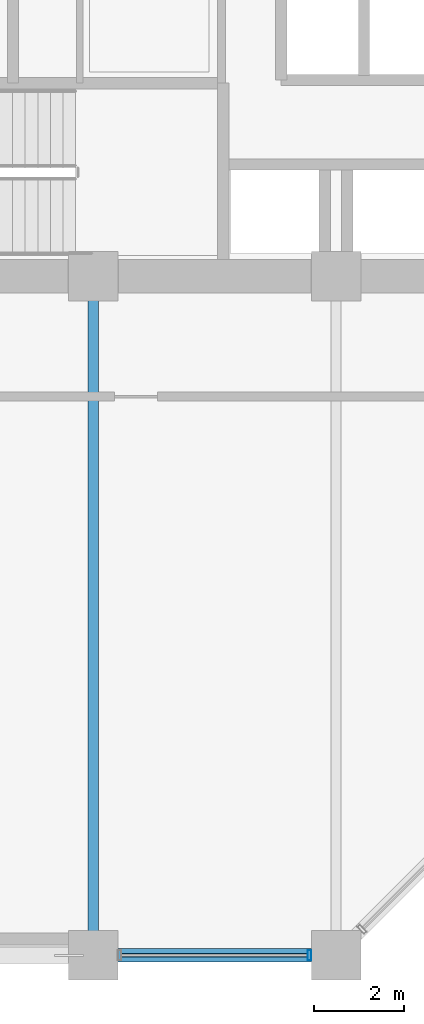
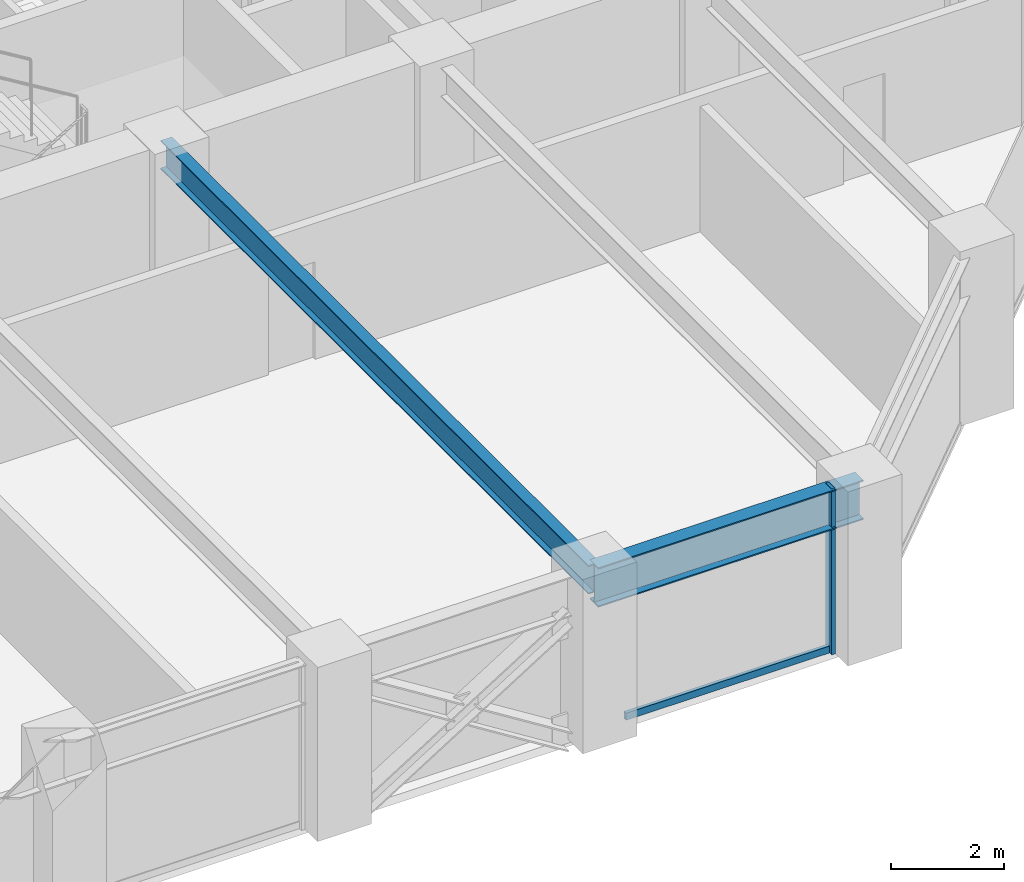
# One storey, part 5 of 25: 2 beams, 2 members, 1 element without a shape of its own.
"""IFC4 building model written with IfcOpenShell, lengths in metres."""

import ifcopenshell
import ifcopenshell.guid

model = None  # the IFC model being written
_history = None  # IfcOwnerHistory: only IFC2X3 demands one
_inside = {}  # id of a spatial element -> (the spatial element, [elements in it])
_under = {}  # id of a project, library or spatial element -> (it, [spatial elements below it])
_declared = {}  # id of a project -> (the project, [libraries it declares])
_typed = {}  # id of a type object -> (the type object, [elements of that type])
_made_of = {}  # id of a material, layer set ... -> (it, [elements and type objects made of it])


def new_model(schema):
    """Start an empty IFC model of exactly this schema.

    Asked for "IFC4X3", IfcOpenShell would pick the latest addendum, in which some entities
    have other attributes; the version numbers below select the first issue.
    IFC2X3 requires an IfcOwnerHistory on every rooted entity: one is made here for all.
    """
    global model, _history
    if schema == "IFC4X3":
        model = ifcopenshell.file(schema_version=(4, 3, 0, 0))
    else:
        model = ifcopenshell.file(schema=schema)
    _inside.clear()
    _under.clear()
    _declared.clear()
    _typed.clear()
    _made_of.clear()
    _history = None
    if model.schema == "IFC2X3":
        org = make("IfcOrganization", Name="unknown")
        user = make(
            "IfcPersonAndOrganization",
            ThePerson=make("IfcPerson", FamilyName="unknown"),
            TheOrganization=org,
        )
        app = make(
            "IfcApplication",
            ApplicationDeveloper=org,
            Version="unknown",
            ApplicationFullName="unknown",
            ApplicationIdentifier="unknown",
        )
        _history = make(
            "IfcOwnerHistory",
            OwningUser=user,
            OwningApplication=app,
            ChangeAction="ADDED",
            CreationDate=0,
        )
    return model


def make(cls, **values):
    """One entity of the class cls with the attributes given. An attribute that is None is left unset."""
    return model.create_entity(
        cls, **{name: value for name, value in values.items() if value is not None}
    )


def rooted(cls, **values):
    """An entity with a GlobalId (a new one), such as an element, a storey or a relation."""
    return make(cls, GlobalId=ifcopenshell.guid.new(), OwnerHistory=_history, **values)


def si_unit(unit_type, name, prefix=None):
    """IfcSIUnit, for example si_unit("LENGTHUNIT", "METRE", prefix="MILLI")."""
    return make("IfcSIUnit", UnitType=unit_type, Prefix=prefix, Name=name)


def assignment(units):
    """IfcUnitAssignment: the units of a project."""
    return None if units is None else make("IfcUnitAssignment", Units=units)


def point(xyz):
    """IfcCartesianPoint."""
    return None if xyz is None else make("IfcCartesianPoint", Coordinates=xyz)


def direction(xyz):
    """IfcDirection."""
    return None if xyz is None else make("IfcDirection", DirectionRatios=xyz)


def frame(location, z_axis=None, x_axis=None):
    """IfcAxis2Placement3D, a coordinate frame: its origin and axes. An axis left out is left unset."""
    return make(
        "IfcAxis2Placement3D",
        Location=point(location),
        Axis=direction(z_axis),
        RefDirection=direction(x_axis),
    )


def frame_2d(location, x_axis=None):
    """IfcAxis2Placement2D, a coordinate frame in the plane: its origin and x axis."""
    return make(
        "IfcAxis2Placement2D", Location=point(location), RefDirection=direction(x_axis)
    )


def origin():
    """The frame at (0, 0, 0) with its axes left unset."""
    return frame((0.0, 0.0, 0.0))


def origin_2d():
    """The frame at (0, 0) in the plane with its x axis left unset."""
    return frame_2d((0.0, 0.0))


def place(relative_to, where):
    """IfcLocalPlacement: puts the frame where relative to a parent placement (None: the world)."""
    return make(
        "IfcLocalPlacement", PlacementRelTo=relative_to, RelativePlacement=where
    )


def context(
    kind, dimensions, precision=None, world=None, true_north=None, identifier=None
):
    """IfcGeometricRepresentationContext, for example the 3D "Model" context."""
    return make(
        "IfcGeometricRepresentationContext",
        ContextIdentifier=identifier,
        ContextType=kind,
        CoordinateSpaceDimension=dimensions,
        Precision=precision,
        WorldCoordinateSystem=world,
        TrueNorth=true_north,
    )


def subcontext(parent, identifier, kind, view, scale=None):
    """IfcGeometricRepresentationSubContext, for example "Body" below "Model"."""
    return make(
        "IfcGeometricRepresentationSubContext",
        ContextIdentifier=identifier,
        ContextType=kind,
        ParentContext=parent,
        TargetScale=scale,
        TargetView=view,
    )


def project(units=None, contexts=None):
    """IfcProject with its units and contexts."""
    return rooted(
        "IfcProject",
        Name="project",
        RepresentationContexts=contexts,
        UnitsInContext=assignment(units),
    )


def spatial(cls, under=None, at=None, **own):
    """A site, building, storey or space (cls), placed at a placement, below another one or the project."""
    s = rooted(cls, ObjectPlacement=at, **own)
    if under is not None:
        _under.setdefault(under.id(), (under, []))[1].append(s)
    return s


def profile(cls, at=None, kind="AREA", **sizes):
    """A parametric profile (cls). Its sizes go by their IFC names, for example OverallWidth=200.0."""
    return make(cls, ProfileType=kind, Position=at, **sizes)


def hollow_rectangle(**sizes):
    """IfcRectangleHollowProfileDef."""
    return profile("IfcRectangleHollowProfileDef", **sizes)


def i_section(**sizes):
    """IfcIShapeProfileDef."""
    return profile("IfcIShapeProfileDef", **sizes)


def extrude(swept, where, along, depth):
    """IfcExtrudedAreaSolid: the profile swept, set in the frame where, extruded along a direction by depth."""
    return make(
        "IfcExtrudedAreaSolid",
        SweptArea=swept,
        Position=where,
        ExtrudedDirection=direction(along),
        Depth=depth,
    )


def shape(context_of_items, identifier, shape_type, items):
    """IfcShapeRepresentation: the items that make up one representation, for example the "Body"."""
    return make(
        "IfcShapeRepresentation",
        ContextOfItems=context_of_items,
        RepresentationIdentifier=identifier,
        RepresentationType=shape_type,
        Items=items,
    )


def material(Name=None, Category=None):
    """IfcMaterial."""
    return make("IfcMaterial", Name=Name, Category=Category)


def layer(
    of_material, thickness, ventilated=None, Name=None, Category=None, Priority=None
):
    """IfcMaterialLayer: one layer of a wall or slab, of a material (None: an air gap)."""
    return make(
        "IfcMaterialLayer",
        Material=of_material,
        LayerThickness=thickness,
        IsVentilated=ventilated,
        Name=Name,
        Category=Category,
        Priority=Priority,
    )


def layer_set(layers, Name=None):
    """IfcMaterialLayerSet."""
    return make("IfcMaterialLayerSet", MaterialLayers=layers, LayerSetName=Name)


def material_profile(
    of_material, cross_section, Name=None, Category=None, Priority=None
):
    """IfcMaterialProfile: a cross section and its material."""
    return make(
        "IfcMaterialProfile",
        Name=Name,
        Material=of_material,
        Profile=cross_section,
        Priority=Priority,
        Category=Category,
    )


def profile_set(profiles, Name=None, composite=None):
    """IfcMaterialProfileSet."""
    return make(
        "IfcMaterialProfileSet",
        Name=Name,
        MaterialProfiles=profiles,
        CompositeProfile=composite,
    )


def made_of(thing, what):
    """Note that an element or type object is made of a material, layer set ...; save() writes the relation."""
    if what is not None:
        _made_of.setdefault(what.id(), (what, []))[1].append(thing)
    return thing


def type_object(cls, material=None, **own):
    """A type object (cls), such as IfcWallType, which elements share."""
    return made_of(rooted(cls, **own), material)


def element(
    cls,
    number,
    at=None,
    inside=None,
    cuts=None,
    type_object=None,
    material=None,
    context=None,
    identifier="Body",
    shape_type=None,
    held_by="IfcProductDefinitionShape",
    body=None,
    shapes=None,
    **own,
):
    """One element of the class cls, such as IfcWall. Its Tag is "e" and its number.

    at: its placement. inside: the storey or other place that contains it. cuts: it is an
    opening in that element (IfcRelVoidsElement). A single representation is given by context,
    identifier, shape_type and body (its items); several are given by shapes. held_by: the class
    of the entity that holds the representations. save() writes the other relations.
    """
    e = rooted(cls, Tag="e%d" % number, ObjectPlacement=at, **own)
    if body is not None:
        shapes = [shape(context, identifier, shape_type, body)]
    if shapes is not None:
        e.Representation = make(held_by, Representations=shapes)
    if inside is not None:
        _inside.setdefault(inside.id(), (inside, []))[1].append(e)
    if cuts is not None:
        rooted(
            "IfcRelVoidsElement", RelatingBuildingElement=cuts, RelatedOpeningElement=e
        )
    if type_object is not None:
        _typed.setdefault(type_object.id(), (type_object, []))[1].append(e)
    return made_of(e, material)


def aggregate(whole, parts):
    """IfcRelAggregates: a whole, such as a stair, and the parts it consists of."""
    return rooted("IfcRelAggregates", RelatingObject=whole, RelatedObjects=parts)


def save(model, path):
    """Write the relations noted so far, then the file.

    IfcRelAggregates (storeys below a building ...), IfcRelContainedInSpatialStructure (elements
    in a storey), IfcRelDefinesByType, IfcRelAssociatesMaterial and IfcRelDeclares: one each for
    every whole, place, type object, material and project.
    """
    for whole, parts in _under.values():
        aggregate(whole, parts)
    for where, things in _inside.values():
        rooted(
            "IfcRelContainedInSpatialStructure",
            RelatedElements=things,
            RelatingStructure=where,
        )
    for kind, things in _typed.values():
        rooted("IfcRelDefinesByType", RelatedObjects=things, RelatingType=kind)
    for what, things in _made_of.values():
        rooted("IfcRelAssociatesMaterial", RelatedObjects=things, RelatingMaterial=what)
    for by, libraries in _declared.values():
        rooted("IfcRelDeclares", RelatingContext=by, RelatedDefinitions=libraries)
    model.write(path)


model = new_model("IFC4")

# Units and contexts
model_context = context("Model", 3, precision=1e-05, world=origin(), true_north=direction((0.0, 1.0)))
body_context = subcontext(model_context, "Body", "Model", "MODEL_VIEW")
ifc_project = project(units=[si_unit("LENGTHUNIT", "METRE"), si_unit("AREAUNIT", "SQUARE_METRE"), si_unit("VOLUMEUNIT", "CUBIC_METRE"), si_unit("PLANEANGLEUNIT", "RADIAN"), si_unit("MASSUNIT", "GRAM", prefix="KILO")], contexts=[model_context])

# Site, building, storey
site_placement = place(None, origin())
site = spatial("IfcSite", under=ifc_project, at=site_placement, CompositionType="ELEMENT")
building_placement = place(site_placement, origin())
building = spatial("IfcBuilding", under=site, at=building_placement, Name="Surkhivell Harbour Commons", CompositionType="ELEMENT")
storey_placement = place(building_placement, frame((0.0, 0.0, 113.25)))
storey = spatial("IfcBuildingStorey", under=building, at=storey_placement, Name="L29", CompositionType="ELEMENT", Elevation=113.25)

# Beams
ifc_material_1 = material(Name="Steel S355", Category="steel")
ifc_material_profile_1 = material_profile(ifc_material_1, i_section(OverallWidth=0.22998046875, OverallDepth=0.616943359375, WebThickness=0.01318359375, FlangeThickness=0.022216796875, at=origin_2d()), Name="UB610x229x140")
ifc_profile_set_1 = profile_set([ifc_material_profile_1], Name="Steel S355")
beam_type_1 = type_object("IfcBeamType", Name="BM-GRD-610B", PredefinedType="BEAM", material=ifc_profile_set_1)
beam_1_placement = place(storey_placement, frame((-5.39990234375, -25.89990234375, 3.261474609375), z_axis=(0.0, 1.0, 0.0), x_axis=(-1.0, 0.0, 0.0)))
element("IfcBeam", 1, at=beam_1_placement, inside=storey, type_object=beam_type_1, Name="L29 Floor Girder (-5.4,-25.9)", PredefinedType="BEAM", context=body_context, shape_type="SweptSolid", body=[
    extrude(i_section(OverallWidth=0.22998046875, OverallDepth=0.616943359375, WebThickness=0.01318359375, FlangeThickness=0.022216796875, at=origin_2d()), origin(), (0.0, 0.0, 1.0), 15.099853515625),
])
ifc_material_2 = material(Name="Steel S460", Category="steel")
ifc_material_profile_2 = material_profile(ifc_material_2, i_section(OverallWidth=0.2939453125, OverallDepth=0.85107421875, WebThickness=0.01611328125, FlangeThickness=0.02685546875, at=origin_2d()), Name="UB838x292x226")
ifc_profile_set_2 = profile_set([ifc_material_profile_2], Name="Steel S460")
beam_type_2 = type_object("IfcBeamType", Name="BM-SPN-838", PredefinedType="SPANDREL", material=ifc_profile_set_2)
beam_2_placement = place(storey_placement, frame((-5.39990234375, -25.89990234375, 3.14453125), z_axis=(1.0, 0.0, 0.0), x_axis=(0.0, 1.0, 0.0)))
element("IfcBeam", 2, at=beam_2_placement, inside=storey, type_object=beam_type_2, Name="L29 Tube Spandrel (-5.4,-25.9)", PredefinedType="SPANDREL", context=body_context, shape_type="SweptSolid", body=[
    extrude(i_section(OverallWidth=0.2939453125, OverallDepth=0.85107421875, WebThickness=0.01611328125, FlangeThickness=0.02685546875, at=origin_2d()), origin(), (0.0, 0.0, 1.0), 5.39990234375),
])

# Curtain wall, members
ifc_material_3 = material(Name="Anodised pale-metal aluminium and insulated glazing", Category="aluminium")
ifc_layer = layer(ifc_material_3, 0.205078125)
ifc_layer_set = layer_set([ifc_layer], Name="Anodised pale-metal aluminium and insulated glazing")
curtain_wall_type = type_object("IfcCurtainWallType", Name="CW-SYS-Z2", PredefinedType="NOTDEFINED", material=ifc_layer_set)
curtain_wall_placement = place(storey_placement, origin())
curtain_wall = element("IfcCurtainWall", 3, at=curtain_wall_placement, inside=storey, type_object=curtain_wall_type, Name="L29 Curtain Wall CW-L29-E00S2", PredefinedType="NOTDEFINED")
ifc_material_4 = material(Name="Anodised pale-metal aluminium alloy 6063-T6", Category="aluminium")
ifc_material_profile_3 = material_profile(ifc_material_4, hollow_rectangle(XDim=0.074951171875, YDim=0.219970703125, WallThickness=0.00390625, at=origin_2d()), Name="ALU-MULL-75x220")
ifc_profile_set_3 = profile_set([ifc_material_profile_3], Name="Anodised pale-metal aluminium alloy 6063-T6")
member_type_1 = type_object("IfcMemberType", Name="CWM-220", PredefinedType="MULLION", material=ifc_profile_set_3)
member_1_placement = place(storey_placement, frame((-0.589599609375, -25.89990234375, 0.0), z_axis=(0.0, 0.0, 1.0), x_axis=(1.0, 0.0, 0.0)))
member_1 = element("IfcMember", 4, at=member_1_placement, type_object=member_type_1, Name="CW-Z2 mullion 2", PredefinedType="MULLION", context=body_context, shape_type="SweptSolid", body=[
    extrude(hollow_rectangle(XDim=0.074951171875, YDim=0.219970703125, WallThickness=0.00390625, at=origin_2d()), origin(), (0.0, 0.0, 1.0), 3.570068359375),
])
ifc_material_profile_4 = material_profile(ifc_material_4, hollow_rectangle(XDim=0.074951171875, YDim=0.14990234375, WallThickness=0.00341796875, at=origin_2d()), Name="ALU-TRAN-75x150")
ifc_profile_set_4 = profile_set([ifc_material_profile_4], Name="Anodised pale-metal aluminium alloy 6063-T6")
member_type_2 = type_object("IfcMemberType", Name="CWT-150", PredefinedType="USERDEFINED", material=ifc_profile_set_4)
member_2_placement = place(storey_placement, frame((-4.77294921875, -25.89990234375, 0.074951171875), z_axis=(1.0, 0.0, 0.0), x_axis=(0.0, 1.0, 0.0)))
member_2 = element("IfcMember", 5, at=member_2_placement, type_object=member_type_2, Name="CW-Z2 transom 1.1", ObjectType="TRANSOM", PredefinedType="USERDEFINED", context=body_context, shape_type="SweptSolid", body=[
    extrude(hollow_rectangle(XDim=0.074951171875, YDim=0.14990234375, WallThickness=0.00341796875, at=origin_2d()), origin(), (0.0, 0.0, 1.0), 4.14599609375),
])
aggregate(curtain_wall, [member_1, member_2])

save(model, "model.ifc")
